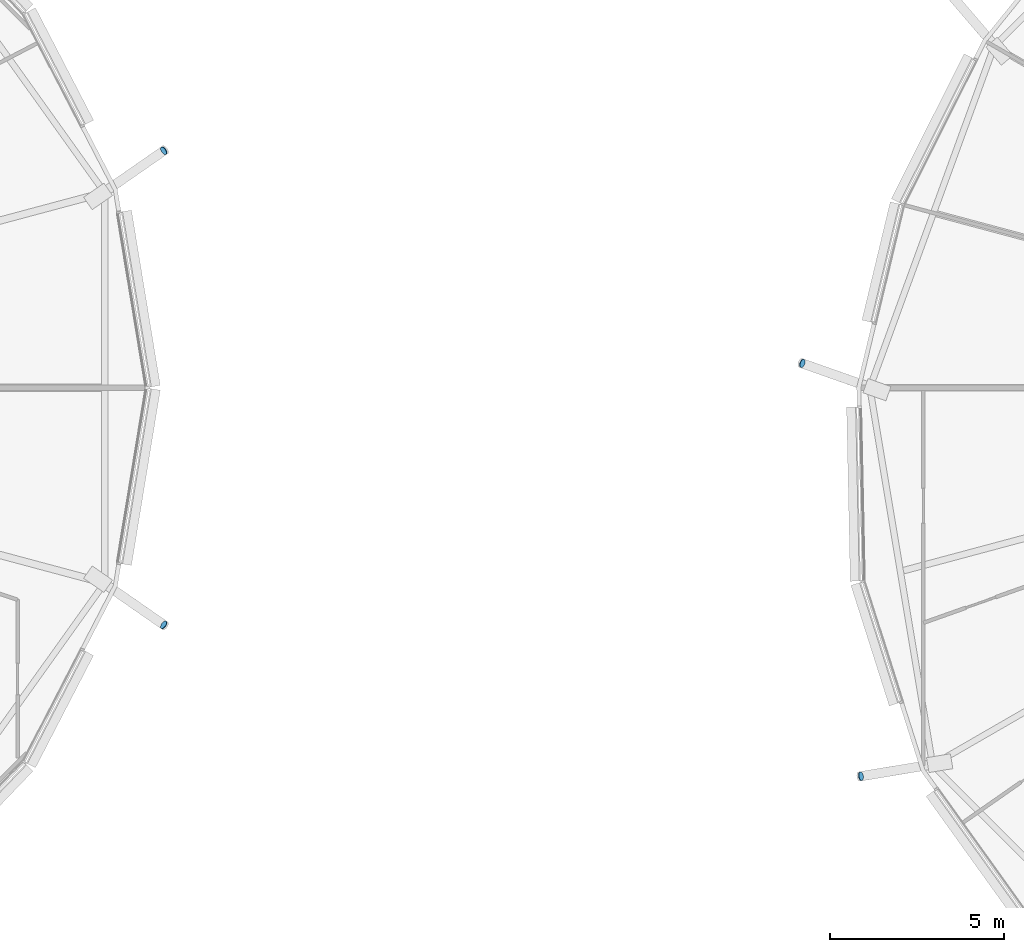
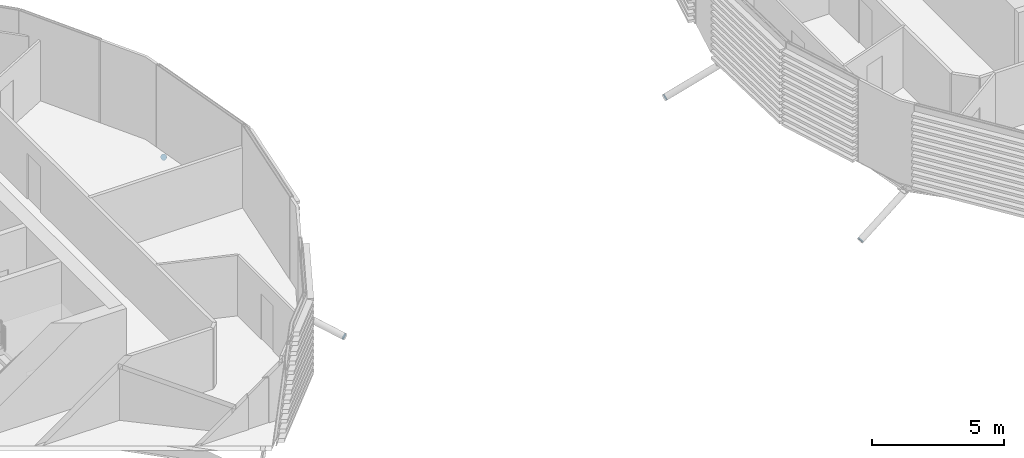
# One storey, part 26 of 36: 4 discrete accessories.
"""IFC4 building model written with IfcOpenShell, lengths in metres."""

from ifc_helpers import new_model, si_unit, direction, frame, origin, origin_2d, place, context, subcontext, project, spatial, circle, extrude, material, material_profile, profile_set, type_object, element, save


model = new_model("IFC4")

# Units and contexts
model_context = context("Model", 3, precision=1e-05, world=origin(), true_north=direction((0.0, 1.0)))
body_context = subcontext(model_context, "Body", "Model", "MODEL_VIEW")
ifc_project = project(units=[si_unit("LENGTHUNIT", "METRE"), si_unit("AREAUNIT", "SQUARE_METRE"), si_unit("VOLUMEUNIT", "CUBIC_METRE"), si_unit("PLANEANGLEUNIT", "RADIAN"), si_unit("MASSUNIT", "GRAM", prefix="KILO")], contexts=[model_context])

# Site, building, storey
site_placement = place(None, origin())
site = spatial("IfcSite", under=ifc_project, at=site_placement, CompositionType="ELEMENT")
building_placement = place(site_placement, origin())
building = spatial("IfcBuilding", under=site, at=building_placement, Name="Rimbun Link Towers", CompositionType="ELEMENT")
storey_placement = place(building_placement, frame((0.0, 0.0, 174.10009765625)))
storey = spatial("IfcBuildingStorey", under=building, at=storey_placement, Name="L42", CompositionType="ELEMENT", Elevation=174.10009765625)

# Discrete accessories
ifc_material = material(Name="Steel S355J2H", Category="steel")
ifc_material_profile = material_profile(ifc_material, circle(Radius=0.1240234375, at=origin_2d()), Name="PL D248")
ifc_profile_set = profile_set([ifc_material_profile], Name="Steel S355J2H")
discrete_accessory_type = type_object("IfcDiscreteAccessoryType", Name="Link foot sealing plate D248X20", PredefinedType="BRACKET", material=ifc_profile_set)
for number, where, z_axis, x_axis, name in (
    (1, (-9.11865234375, 6.80810546875, -2.010986328125), (0.713228586644, 0.495633424617, -0.495633424617), (-0.570656615896, 0.821188788729, 0.0), "Link foot sealing plate T1 L42 01"),
    (2, (-9.11865234375, -6.80810546875, -2.010986328125), (0.713228586644, -0.495633424617, -0.495633424617), (0.570656615896, 0.821188788729, 0.0), "Link foot sealing plate T1 L42 23"),
):
    element("IfcDiscreteAccessory", number, at=place(storey_placement, frame(where, z_axis=z_axis, x_axis=x_axis)), inside=storey, type_object=discrete_accessory_type, Name=name, PredefinedType="BRACKET", context=body_context, shape_type="SweptSolid", body=[
        extrude(circle(Radius=0.1240234375, at=origin_2d()), origin(), (0.0, 0.0, 1.0), 0.020263671875),
    ])
discrete_accessory_1_placement = place(storey_placement, frame((9.24169921875, 0.69775390625, -1.960693359375), z_axis=(-0.809404787911, 0.282065304878, -0.515075774125), x_axis=(-0.32907550163, -0.944303613372, 0.0)))
element("IfcDiscreteAccessory", 3, at=discrete_accessory_1_placement, inside=storey, type_object=discrete_accessory_type, Name="Link foot sealing plate T2 L42 09", PredefinedType="BRACKET", context=body_context, shape_type="SweptSolid", body=[
    extrude(circle(Radius=0.1240234375, at=origin_2d()), origin(), (0.0, 0.0, 1.0), 0.02001953125),
])
discrete_accessory_2_placement = place(storey_placement, frame((10.925048828125, -11.16015625, -1.9384765625), z_axis=(-0.851722045855, -0.135781775426, -0.506095708406), x_axis=(0.157432284527, -0.98752978476, 0.0)))
element("IfcDiscreteAccessory", 4, at=discrete_accessory_2_placement, inside=storey, type_object=discrete_accessory_type, Name="Link foot sealing plate T2 L42 11", PredefinedType="BRACKET", context=body_context, shape_type="SweptSolid", body=[
    extrude(circle(Radius=0.1240234375, at=origin_2d()), origin(), (0.0, 0.0, 1.0), 0.019775390625),
])

save(model, "model.ifc")
